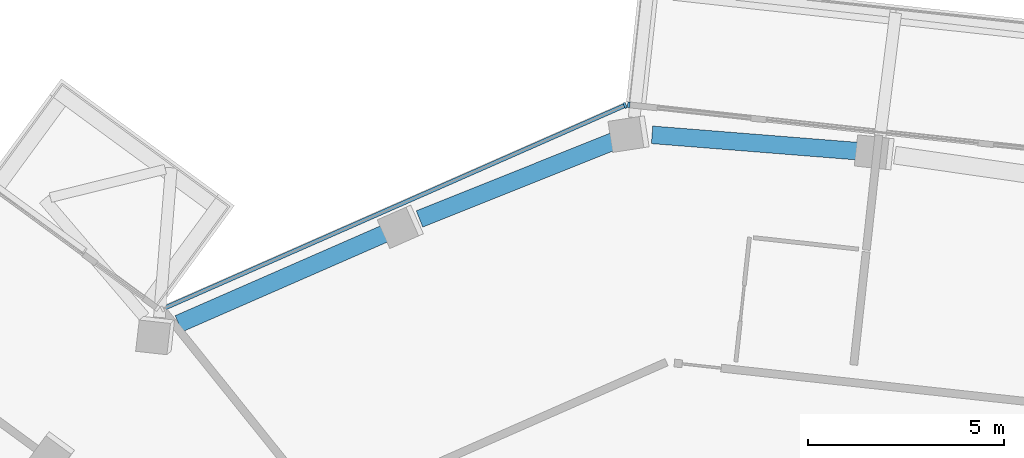
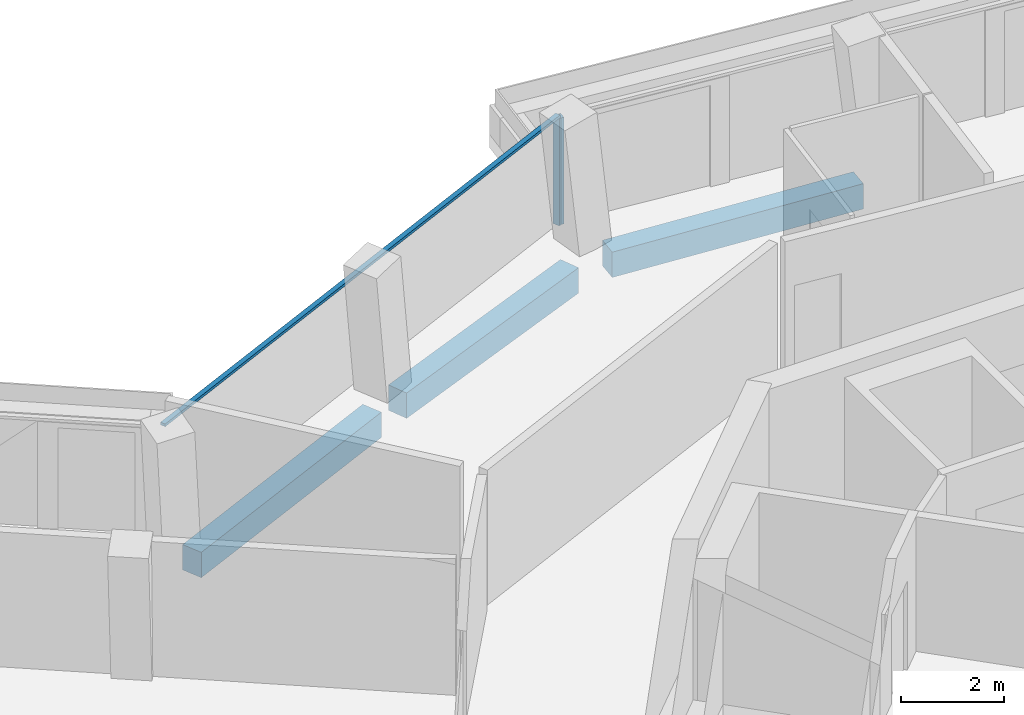
# One storey, part 7 of 22: 3 beams, 3 members, 2 elements without a shape of their own.
"""IFC4 building model written with IfcOpenShell, lengths in metres."""

from ifc_helpers import new_model, si_unit, direction, frame, origin, origin_2d, place, context, subcontext, project, spatial, rectangle, extrude, material, layer, layer_set, material_profile, profile_set, type_object, element, aggregate, save


model = new_model("IFC4")

# Units and contexts
model_context = context("Model", 3, precision=1e-05, world=origin(), true_north=direction((0.0, 1.0)))
body_context = subcontext(model_context, "Body", "Model", "MODEL_VIEW")
ifc_project = project(units=[si_unit("LENGTHUNIT", "METRE"), si_unit("AREAUNIT", "SQUARE_METRE"), si_unit("VOLUMEUNIT", "CUBIC_METRE"), si_unit("PLANEANGLEUNIT", "RADIAN"), si_unit("MASSUNIT", "GRAM", prefix="KILO")], contexts=[model_context])

# Site, building, storey
site_placement = place(None, origin())
site = spatial("IfcSite", under=ifc_project, at=site_placement, CompositionType="ELEMENT")
building_placement = place(site_placement, origin())
building = spatial("IfcBuilding", under=site, at=building_placement, Name="Verdalira Terraces Hotel", CompositionType="ELEMENT")
storey_placement = place(building_placement, frame((0.0, 0.0, 252.5)))
storey = spatial("IfcBuildingStorey", under=building, at=storey_placement, Name="L62", CompositionType="ELEMENT", Elevation=252.5)

# Curtain wall, member
ifc_material_1 = material(Name="Clear glass", Category="glass")
ifc_layer = layer(ifc_material_1, 0.14990234375)
ifc_layer_set = layer_set([ifc_layer], Name="CW1 curtain wall")
curtain_wall_type = type_object("IfcCurtainWallType", Name="CW1 curtain wall", PredefinedType="NOTDEFINED", material=ifc_layer_set)
curtain_wall_1_placement = place(storey_placement, origin())
curtain_wall_1 = element("IfcCurtainWall", 1, at=curtain_wall_1_placement, inside=storey, type_object=curtain_wall_type, Name="CW1 curtain wall L62 edge 40", PredefinedType="NOTDEFINED")
ifc_material_2 = material(Name="Terracotta frame", Category="masonry")
ifc_material_profile_1 = material_profile(ifc_material_2, rectangle(XDim=0.060059, YDim=0.149902, at=origin_2d()), Name="MU 60x150")
ifc_profile_set_1 = profile_set([ifc_material_profile_1], Name="Terracotta frame")
member_type_1 = type_object("IfcMemberType", Name="CW1 mullion 60x150", PredefinedType="MULLION", material=ifc_profile_set_1)
member_1_placement = place(storey_placement, frame((-3.763184, 24.739014, 0.0), z_axis=(0.0, 0.0, 1.0), x_axis=(-0.994075324, 0.108693378, 0.0)))
member_1 = element("IfcMember", 2, at=member_1_placement, type_object=member_type_1, Name="CW1 mullion", PredefinedType="MULLION", context=body_context, shape_type="SweptSolid", body=[
    extrude(rectangle(XDim=0.060059, YDim=0.149902, at=origin_2d()), origin(), (0.0, 0.0, 1.0), 2.524902),
])
aggregate(curtain_wall_1, [member_1])

# Curtain wall, members
curtain_wall_2_placement = place(storey_placement, origin())
curtain_wall_2 = element("IfcCurtainWall", 3, at=curtain_wall_2_placement, inside=storey, type_object=curtain_wall_type, Name="CW1 curtain wall L62 edge 41", PredefinedType="NOTDEFINED")
member_2_placement = place(storey_placement, frame((-3.858887, 24.724121, 0.0), z_axis=(0.0, 0.0, 1.0), x_axis=(-0.915241173, -0.402906436, 0.0)))
member_2 = element("IfcMember", 4, at=member_2_placement, type_object=member_type_1, Name="CW1 mullion", PredefinedType="MULLION", context=body_context, shape_type="SweptSolid", body=[
    extrude(rectangle(XDim=0.060059, YDim=0.149902, at=origin_2d()), origin(), (0.0, 0.0, 1.0), 2.524902),
])
ifc_material_3 = material(Name="Terracotta frame", Category="masonry")
ifc_material_profile_2 = material_profile(ifc_material_3, rectangle(XDim=0.110107, YDim=0.064941, at=origin_2d()), Name="TR 65x110")
ifc_profile_set_2 = profile_set([ifc_material_profile_2], Name="Terracotta frame")
member_type_2 = type_object("IfcMemberType", Name="CW1 transom 65x110", PredefinedType="USERDEFINED", material=ifc_profile_set_2)
member_3_placement = place(storey_placement, frame((-3.831299, 24.736328, 2.557617), z_axis=(-0.91523835, -0.402912848, 0.0), x_axis=(0.402912848, -0.91523835, 0.0)))
member_3 = element("IfcMember", 5, at=member_3_placement, type_object=member_type_2, Name="CW1 transom", ObjectType="TRANSOM", PredefinedType="USERDEFINED", context=body_context, shape_type="SweptSolid", body=[
    extrude(rectangle(XDim=0.110107, YDim=0.064941, at=origin_2d()), origin(), (0.0, 0.0, 1.0), 12.959717),
])
aggregate(curtain_wall_2, [member_2, member_3])

# Beams
ifc_material_4 = material(Name="Concrete C40", Category="concrete")
ifc_material_profile_3 = material_profile(ifc_material_4, rectangle(XDim=0.449951, YDim=0.600098, at=origin_2d()), Name="RC 450X600")
ifc_profile_set_3 = profile_set([ifc_material_profile_3], Name="Concrete C40")
beam_type = type_object("IfcBeamType", Name="Spandrel beam RC 450X600 C40", PredefinedType="SPANDREL", material=ifc_profile_set_3)
beam_1_placement = place(storey_placement, frame((2.208008, 23.544922, -0.610107), z_axis=(-0.996851155, 0.079295493, 0.0), x_axis=(-0.079295493, -0.996851155, 0.0)))
element("IfcBeam", 6, at=beam_1_placement, inside=storey, type_object=beam_type, Name="Spandrel beam B21", PredefinedType="SPANDREL", context=body_context, shape_type="SweptSolid", body=[
    extrude(rectangle(XDim=0.449951, YDim=0.600098, at=origin_2d()), origin(), (0.0, 0.0, 1.0), 5.394287),
])
beam_2_placement = place(storey_placement, frame((-4.094238, 23.830322, -0.610107), z_axis=(-0.928439249, -0.371484268, 0.0), x_axis=(0.371484268, -0.928439249, 0.0)))
element("IfcBeam", 7, at=beam_2_placement, inside=storey, type_object=beam_type, Name="Spandrel beam B22", PredefinedType="SPANDREL", context=body_context, shape_type="SweptSolid", body=[
    extrude(rectangle(XDim=0.449951, YDim=0.600098, at=origin_2d()), origin(), (0.0, 0.0, 1.0), 5.396973),
])
beam_3_placement = place(storey_placement, frame((-9.854492, 21.511719, -0.610107), z_axis=(-0.916144021, -0.400849265, 0.0), x_axis=(0.400849265, -0.916144021, 0.0)))
element("IfcBeam", 8, at=beam_3_placement, inside=storey, type_object=beam_type, Name="Spandrel beam B23", PredefinedType="SPANDREL", context=body_context, shape_type="SweptSolid", body=[
    extrude(rectangle(XDim=0.449951, YDim=0.600098, at=origin_2d()), origin(), (0.0, 0.0, 1.0), 5.89209),
])

save(model, "model.ifc")
